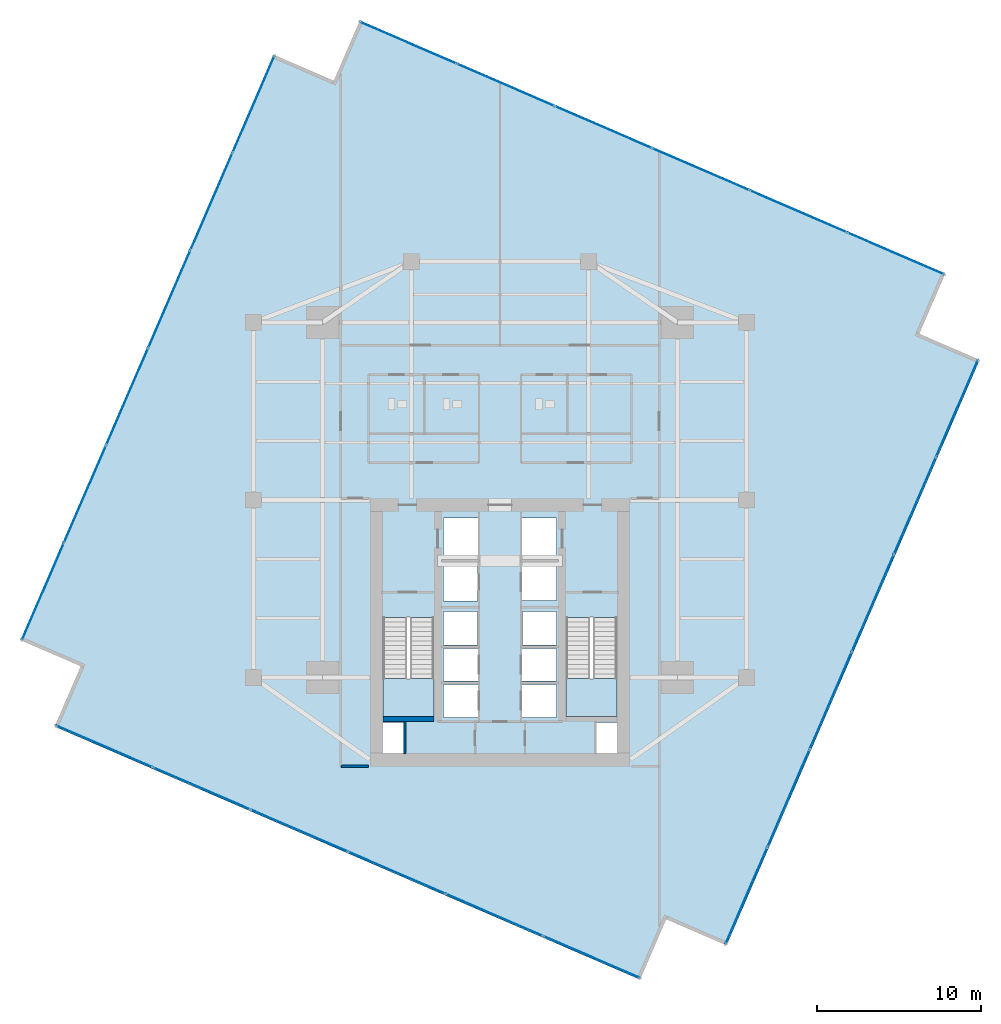
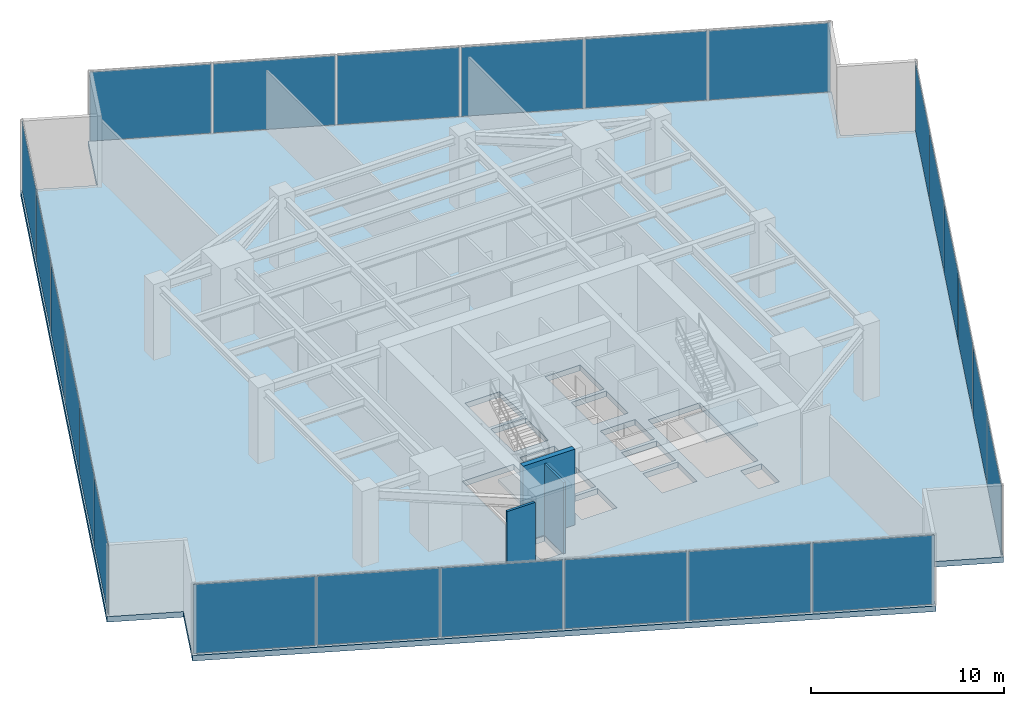
# One storey, part 20 of 24: 24 plates, 3 slabs, 3 walls, 6 elements without a shape of their own.
"""IFC4 building model written with IfcOpenShell, lengths in metres."""

from ifc_helpers import new_model, si_unit, direction, frame, frame_2d, origin, origin_2d, place, context, subcontext, project, spatial, polyline, rectangle, outline, extrude, source, transform, mapped, material, layer, layer_set, type_object, type_shapes, element, aggregate, save


model = new_model("IFC4")

# Units and contexts
model_context = context("Model", 3, precision=1e-05, world=origin(), true_north=direction((0.0, 1.0)))
body_context = subcontext(model_context, "Body", "Model", "MODEL_VIEW")
ifc_project = project(units=[si_unit("LENGTHUNIT", "METRE"), si_unit("AREAUNIT", "SQUARE_METRE"), si_unit("VOLUMEUNIT", "CUBIC_METRE"), si_unit("PLANEANGLEUNIT", "RADIAN"), si_unit("MASSUNIT", "GRAM", prefix="KILO")], contexts=[model_context])

# Site, building, storey
site_placement = place(None, origin())
site = spatial("IfcSite", under=ifc_project, at=site_placement, CompositionType="ELEMENT")
building_placement = place(site_placement, origin())
building = spatial("IfcBuilding", under=site, at=building_placement, Name="Krantzveldt Concourse Tower", CompositionType="ELEMENT")
storey_placement = place(building_placement, frame((0.0, 0.0, 141.39990234375)))
storey = spatial("IfcBuildingStorey", under=building, at=storey_placement, Name="L34", CompositionType="ELEMENT", Elevation=141.39990234375)

# Stair, slab
ifc_material_1 = material(Name="Precast concrete C40/50", Category="concrete")
stair_type = type_object("IfcStairType", Name="STR-CORE-DOGLEG", PredefinedType="HALF_TURN_STAIR", material=ifc_material_1)
stair_1_placement = place(storey_placement, origin())
stair_1 = element("IfcStair", 1, at=stair_1_placement, inside=storey, type_object=stair_type, Name="L34 Protected Escape Stair ST-1", PredefinedType="HALF_TURN_STAIR")
ifc_layer_1 = layer(ifc_material_1, 0.199951171875, Name="Precast concrete C40/50", Category="concrete")
ifc_layer_set_1 = layer_set([ifc_layer_1], Name="Precast concrete C40/50 (SL-LANDING-200)")
slab_type_1 = type_object("IfcSlabType", Name="SL-LANDING-200", PredefinedType="LANDING", material=ifc_layer_set_1)
slab_1_placement = place(storey_placement, frame((0.0, 0.0, 2.2001953125)))
slab_1 = element("IfcSlab", 2, at=slab_1_placement, type_object=slab_type_1, Name="ST-1 landing 1", PredefinedType="LANDING", context=body_context, shape_type="SweptSolid", body=[
    extrude(outline(polyline([(28.8798828125, 15.844970703125), (28.8798828125, 13.52001953125), (31.97998046875, 13.52001953125), (31.97998046875, 15.844970703125), (28.8798828125, 15.844970703125)])), origin(), (0.0, 0.0, 1.0), 0.199951171875),
])
aggregate(stair_1, [slab_1])

stair_2_placement = place(storey_placement, origin())
stair_2 = element("IfcStair", 3, at=stair_2_placement, inside=storey, type_object=stair_type, Name="L34 Protected Escape Stair ST-2", PredefinedType="HALF_TURN_STAIR")
slab_2_placement = place(storey_placement, frame((0.0, 0.0, 2.2001953125)))
slab_2 = element("IfcSlab", 4, at=slab_2_placement, type_object=slab_type_1, Name="ST-2 landing 1", PredefinedType="LANDING", context=body_context, shape_type="SweptSolid", body=[
    extrude(outline(polyline([(40.02001953125, 15.844970703125), (40.02001953125, 13.52001953125), (43.1201171875, 13.52001953125), (43.1201171875, 15.844970703125), (40.02001953125, 15.844970703125)])), origin(), (0.0, 0.0, 1.0), 0.199951171875),
])
aggregate(stair_2, [slab_2])

# Slab
ifc_material_2 = material(Name="Concrete C50/60", Category="concrete")
ifc_layer_2 = layer(ifc_material_2, 0.35009765625, Name="Concrete C50/60", Category="concrete")
ifc_layer_set_2 = layer_set([ifc_layer_2], Name="Concrete C50/60 (SL-SL-TRN350)")
slab_type_2 = type_object("IfcSlabType", Name="SL-SL-TRN350", PredefinedType="FLOOR", material=ifc_layer_set_2)
slab_3_placement = place(storey_placement, frame((0.0, 0.0, -0.349853515625)))
element("IfcSlab", 5, at=slab_3_placement, inside=storey, type_object=slab_type_2, Name="SL-L34-MAIN", PredefinedType="FLOOR", context=body_context, shape_type="SweptSolid", body=[
    extrude(outline(polyline([(25.88916015625, 52.20458984375), (22.21728515625, 53.791748046875), (6.823486328125, 18.176025390625), (10.495361328125, 16.589111328125), (8.908203125, 12.91748046875), (44.52392578125, -2.476318359375), (46.11083984375, 1.1953125), (49.78271484375, -0.3916015625), (65.176513671875, 35.223876953125), (61.504638671875, 36.810791015625), (63.091796875, 40.482666015625), (27.47607421875, 55.87646484375), (25.88916015625, 52.20458984375)]), holes=[polyline([(28.8798828125, 19.547607421875), (28.8798828125, 13.52001953125), (31.97998046875, 13.52001953125), (31.97998046875, 19.547607421875), (28.8798828125, 19.547607421875)]), polyline([(40.02001953125, 19.547607421875), (40.02001953125, 13.52001953125), (43.1201171875, 13.52001953125), (43.1201171875, 19.547607421875), (40.02001953125, 19.547607421875)]), polyline([(32.550048828125, 23.10009765625), (34.64990234375, 23.10009765625), (34.64990234375, 25.60009765625), (32.550048828125, 25.60009765625), (32.550048828125, 23.10009765625)]), polyline([(37.35009765625, 23.10009765625), (39.449951171875, 23.10009765625), (39.449951171875, 25.60009765625), (37.35009765625, 25.60009765625), (37.35009765625, 23.10009765625)]), polyline([(37.35009765625, 20.60009765625), (39.449951171875, 20.60009765625), (39.449951171875, 22.89990234375), (37.35009765625, 22.89990234375), (37.35009765625, 20.60009765625)]), polyline([(32.550048828125, 13.47998046875), (34.64990234375, 13.47998046875), (34.64990234375, 15.47998046875), (32.550048828125, 15.47998046875), (32.550048828125, 13.47998046875)]), polyline([(32.550048828125, 15.679931640625), (34.64990234375, 15.679931640625), (34.64990234375, 17.679931640625), (32.550048828125, 17.679931640625), (32.550048828125, 15.679931640625)]), polyline([(37.35009765625, 13.47998046875), (39.449951171875, 13.47998046875), (39.449951171875, 15.47998046875), (37.35009765625, 15.47998046875), (37.35009765625, 13.47998046875)]), polyline([(37.35009765625, 15.679931640625), (39.449951171875, 15.679931640625), (39.449951171875, 17.679931640625), (37.35009765625, 17.679931640625), (37.35009765625, 15.679931640625)]), polyline([(32.550048828125, 20.550048828125), (34.6201171875, 20.550048828125), (34.6201171875, 22.89990234375), (32.550048828125, 22.89990234375), (32.550048828125, 20.550048828125)]), polyline([(32.550048828125, 17.8798828125), (34.6201171875, 17.8798828125), (34.6201171875, 19.919921875), (32.550048828125, 19.919921875), (32.550048828125, 17.8798828125)]), polyline([(37.3798828125, 17.8798828125), (39.449951171875, 17.8798828125), (39.449951171875, 19.919921875), (37.3798828125, 19.919921875), (37.3798828125, 17.8798828125)]), polyline([(28.8798828125, 11.320068359375), (30.139892578125, 11.320068359375), (30.139892578125, 13.159912109375), (28.8798828125, 13.159912109375), (28.8798828125, 11.320068359375)]), polyline([(41.860107421875, 11.320068359375), (43.1201171875, 11.320068359375), (43.1201171875, 13.159912109375), (41.860107421875, 13.159912109375), (41.860107421875, 11.320068359375)])]), origin(), (0.0, 0.0, 1.0), 0.349853515625),
])

# Curtain wall, plates
ifc_material_3 = material(Name="Anodised aluminium 6063-T6", Category="aluminium")
curtain_wall_type = type_object("IfcCurtainWallType", Name="CW5", PredefinedType="USERDEFINED", material=ifc_material_3)
curtain_wall_1_placement = place(storey_placement, origin())
curtain_wall_1 = element("IfcCurtainWall", 6, at=curtain_wall_1_placement, inside=storey, type_object=curtain_wall_type, Name="CW-L34-F01", ObjectType="UNITISED CURTAIN WALL", PredefinedType="USERDEFINED")
ifc_material_4 = material(Name="Bronze-tinted laminated low-E IGU glass", Category="glass")
ifc_layer_3 = layer(ifc_material_4, 0.031982421875, Name="Bronze-tinted laminated low-E IGU glass", Category="glass")
ifc_layer_set_3 = layer_set([ifc_layer_3], Name="Bronze-tinted laminated low-E IGU glass (CW-GLZ-32)")
plate_type = type_object("IfcPlateType", Name="CW-GLZ-32", PredefinedType="CURTAIN_PANEL", material=ifc_layer_set_3)
shared_shape_1 = source(origin(), body_context, "Body", "SweptSolid", [
    extrude(rectangle(XDim=6.361572265625, YDim=0.031982421875, at=origin_2d()), origin(), (0.0, 0.0, 1.0), 4.3798828125),
])
plate_1_placement = place(storey_placement, frame((21.01025390625, 50.77197265625, 0.070068359375), z_axis=(0.0, 0.0, 1.0), x_axis=(-0.396747417177, -0.917927822306, 0.0)))
plate_1 = element("IfcPlate", 7, at=plate_1_placement, type_object=plate_type, Name="CW-SKY panel 1.1", PredefinedType="CURTAIN_PANEL", context=body_context, shape_type="MappedRepresentation", body=[
    mapped(shared_shape_1, transform((0.0, 0.0, 0.0), x_axis=(1.0, 0.0, 0.0), y_axis=(0.0, 1.0, 0.0), z_axis=(0.0, 0.0, 1.0), scale=1.0)),
])
plate_2_placement = place(storey_placement, frame((8.196044921875, 21.12451171875, 0.070068359375), z_axis=(0.0, 0.0, 1.0), x_axis=(-0.396747417177, -0.917927822306, 0.0)))
plate_2 = element("IfcPlate", 8, at=plate_2_placement, type_object=plate_type, Name="CW-SKY panel 6.1", PredefinedType="CURTAIN_PANEL", context=body_context, shape_type="MappedRepresentation", body=[
    mapped(shared_shape_1, transform((0.0, 0.0, 0.0), x_axis=(1.0, 0.0, 0.0), y_axis=(0.0, 1.0, 0.0), z_axis=(0.0, 0.0, 1.0), scale=1.0)),
])

curtain_wall_2_placement = place(storey_placement, origin())
curtain_wall_2 = element("IfcCurtainWall", 9, at=curtain_wall_2_placement, inside=storey, type_object=curtain_wall_type, Name="CW-L34-F04", ObjectType="UNITISED CURTAIN WALL", PredefinedType="USERDEFINED")
plate_3_placement = place(storey_placement, frame((11.927978515625, 11.710205078125, 0.070068359375), z_axis=(0.0, 0.0, 1.0), x_axis=(0.917927822306, -0.396747417177, 0.0)))
plate_3 = element("IfcPlate", 10, at=plate_3_placement, type_object=plate_type, Name="CW-SKY panel 1.1", PredefinedType="CURTAIN_PANEL", context=body_context, shape_type="MappedRepresentation", body=[
    mapped(shared_shape_1, transform((0.0, 0.0, 0.0), x_axis=(1.0, 0.0, 0.0), y_axis=(0.0, 1.0, 0.0), z_axis=(0.0, 0.0, 1.0), scale=1.0)),
])
plate_4_placement = place(storey_placement, frame((41.57568359375, -1.10400390625, 0.070068359375), z_axis=(0.0, 0.0, 1.0), x_axis=(0.917927822306, -0.396747417177, 0.0)))
plate_4 = element("IfcPlate", 11, at=plate_4_placement, type_object=plate_type, Name="CW-SKY panel 6.1", PredefinedType="CURTAIN_PANEL", context=body_context, shape_type="MappedRepresentation", body=[
    mapped(shared_shape_1, transform((0.0, 0.0, 0.0), x_axis=(1.0, 0.0, 0.0), y_axis=(0.0, 1.0, 0.0), z_axis=(0.0, 0.0, 1.0), scale=1.0)),
])

curtain_wall_3_placement = place(storey_placement, origin())
curtain_wall_3 = element("IfcCurtainWall", 12, at=curtain_wall_3_placement, inside=storey, type_object=curtain_wall_type, Name="CW-L34-F07", ObjectType="UNITISED CURTAIN WALL", PredefinedType="USERDEFINED")
plate_5_placement = place(storey_placement, frame((50.98974609375, 2.6279296875, 0.070068359375), z_axis=(0.0, 0.0, 1.0), x_axis=(0.396747417177, 0.917927822306, 0.0)))
plate_5 = element("IfcPlate", 13, at=plate_5_placement, type_object=plate_type, Name="CW-SKY panel 1.1", PredefinedType="CURTAIN_PANEL", context=body_context, shape_type="MappedRepresentation", body=[
    mapped(shared_shape_1, transform((0.0, 0.0, 0.0), x_axis=(1.0, 0.0, 0.0), y_axis=(0.0, 1.0, 0.0), z_axis=(0.0, 0.0, 1.0), scale=1.0)),
])
plate_6_placement = place(storey_placement, frame((63.803955078125, 32.275634765625, 0.070068359375), z_axis=(0.0, 0.0, 1.0), x_axis=(0.396747417177, 0.917927822306, 0.0)))
plate_6 = element("IfcPlate", 14, at=plate_6_placement, type_object=plate_type, Name="CW-SKY panel 6.1", PredefinedType="CURTAIN_PANEL", context=body_context, shape_type="MappedRepresentation", body=[
    mapped(shared_shape_1, transform((0.0, 0.0, 0.0), x_axis=(1.0, 0.0, 0.0), y_axis=(0.0, 1.0, 0.0), z_axis=(0.0, 0.0, 1.0), scale=1.0)),
])

curtain_wall_4_placement = place(storey_placement, origin())
curtain_wall_4 = element("IfcCurtainWall", 15, at=curtain_wall_4_placement, inside=storey, type_object=curtain_wall_type, Name="CW-L34-F10", ObjectType="UNITISED CURTAIN WALL", PredefinedType="USERDEFINED")
plate_7_placement = place(storey_placement, frame((60.072021484375, 41.689697265625, 0.070068359375), z_axis=(0.0, 0.0, 1.0), x_axis=(-0.917927822306, 0.396747417177, 0.0)))
plate_7 = element("IfcPlate", 16, at=plate_7_placement, type_object=plate_type, Name="CW-SKY panel 1.1", PredefinedType="CURTAIN_PANEL", context=body_context, shape_type="MappedRepresentation", body=[
    mapped(shared_shape_1, transform((0.0, 0.0, 0.0), x_axis=(1.0, 0.0, 0.0), y_axis=(0.0, 1.0, 0.0), z_axis=(0.0, 0.0, 1.0), scale=1.0)),
])
plate_8_placement = place(storey_placement, frame((30.42431640625, 54.504150390625, 0.070068359375), z_axis=(0.0, 0.0, 1.0), x_axis=(-0.917927822306, 0.396747417177, 0.0)))
plate_8 = element("IfcPlate", 17, at=plate_8_placement, type_object=plate_type, Name="CW-SKY panel 6.1", PredefinedType="CURTAIN_PANEL", context=body_context, shape_type="MappedRepresentation", body=[
    mapped(shared_shape_1, transform((0.0, 0.0, 0.0), x_axis=(1.0, 0.0, 0.0), y_axis=(0.0, 1.0, 0.0), z_axis=(0.0, 0.0, 1.0), scale=1.0)),
])

# Plate
shared_shape_2 = source(origin(), body_context, "Body", "SweptSolid", [
    extrude(rectangle(XDim=6.396728515625, YDim=0.031982421875, at=origin_2d()), origin(), (0.0, 0.0, 1.0), 4.3798828125),
])
type_shapes(plate_type, [shared_shape_1, shared_shape_2])
plate_9_placement = place(storey_placement, frame((18.45166015625, 44.85205078125, 0.070068359375), z_axis=(0.0, 0.0, 1.0), x_axis=(-0.396747417177, -0.917927822306, 0.0)))
plate_9 = element("IfcPlate", 18, at=plate_9_placement, type_object=plate_type, Name="CW-SKY panel 2.1", PredefinedType="CURTAIN_PANEL", context=body_context, shape_type="MappedRepresentation", body=[
    mapped(shared_shape_2, transform((0.0, 0.0, 0.0), x_axis=(1.0, 0.0, 0.0), y_axis=(0.0, 1.0, 0.0), z_axis=(0.0, 0.0, 1.0), scale=1.0)),
])

plate_10_placement = place(storey_placement, frame((15.885986328125, 38.916259765625, 0.070068359375), z_axis=(0.0, 0.0, 1.0), x_axis=(-0.396747417177, -0.917927822306, 0.0)))
plate_10 = element("IfcPlate", 19, at=plate_10_placement, type_object=plate_type, Name="CW-SKY panel 3.1", PredefinedType="CURTAIN_PANEL", context=body_context, shape_type="MappedRepresentation", body=[
    mapped(shared_shape_2, transform((0.0, 0.0, 0.0), x_axis=(1.0, 0.0, 0.0), y_axis=(0.0, 1.0, 0.0), z_axis=(0.0, 0.0, 1.0), scale=1.0)),
])

plate_11_placement = place(storey_placement, frame((13.3203125, 32.980224609375, 0.070068359375), z_axis=(0.0, 0.0, 1.0), x_axis=(-0.396747417177, -0.917927822306, 0.0)))
plate_11 = element("IfcPlate", 20, at=plate_11_placement, type_object=plate_type, Name="CW-SKY panel 4.1", PredefinedType="CURTAIN_PANEL", context=body_context, shape_type="MappedRepresentation", body=[
    mapped(shared_shape_2, transform((0.0, 0.0, 0.0), x_axis=(1.0, 0.0, 0.0), y_axis=(0.0, 1.0, 0.0), z_axis=(0.0, 0.0, 1.0), scale=1.0)),
])

plate_12_placement = place(storey_placement, frame((10.754638671875, 27.044189453125, 0.070068359375), z_axis=(0.0, 0.0, 1.0), x_axis=(-0.396747417177, -0.917927822306, 0.0)))
plate_12 = element("IfcPlate", 21, at=plate_12_placement, type_object=plate_type, Name="CW-SKY panel 5.1", PredefinedType="CURTAIN_PANEL", context=body_context, shape_type="MappedRepresentation", body=[
    mapped(shared_shape_2, transform((0.0, 0.0, 0.0), x_axis=(1.0, 0.0, 0.0), y_axis=(0.0, 1.0, 0.0), z_axis=(0.0, 0.0, 1.0), scale=1.0)),
])

aggregate(curtain_wall_1, [plate_1, plate_9, plate_10, plate_11, plate_12, plate_2])

plate_13_placement = place(storey_placement, frame((17.847900390625, 9.151611328125, 0.070068359375), z_axis=(0.0, 0.0, 1.0), x_axis=(0.917927822306, -0.396747417177, 0.0)))
plate_13 = element("IfcPlate", 22, at=plate_13_placement, type_object=plate_type, Name="CW-SKY panel 2.1", PredefinedType="CURTAIN_PANEL", context=body_context, shape_type="MappedRepresentation", body=[
    mapped(shared_shape_2, transform((0.0, 0.0, 0.0), x_axis=(1.0, 0.0, 0.0), y_axis=(0.0, 1.0, 0.0), z_axis=(0.0, 0.0, 1.0), scale=1.0)),
])

plate_14_placement = place(storey_placement, frame((23.783935546875, 6.5859375, 0.070068359375), z_axis=(0.0, 0.0, 1.0), x_axis=(0.917927822306, -0.396747417177, 0.0)))
plate_14 = element("IfcPlate", 23, at=plate_14_placement, type_object=plate_type, Name="CW-SKY panel 3.1", PredefinedType="CURTAIN_PANEL", context=body_context, shape_type="MappedRepresentation", body=[
    mapped(shared_shape_2, transform((0.0, 0.0, 0.0), x_axis=(1.0, 0.0, 0.0), y_axis=(0.0, 1.0, 0.0), z_axis=(0.0, 0.0, 1.0), scale=1.0)),
])

plate_15_placement = place(storey_placement, frame((29.7197265625, 4.020263671875, 0.070068359375), z_axis=(0.0, 0.0, 1.0), x_axis=(0.917927822306, -0.396747417177, 0.0)))
plate_15 = element("IfcPlate", 24, at=plate_15_placement, type_object=plate_type, Name="CW-SKY panel 4.1", PredefinedType="CURTAIN_PANEL", context=body_context, shape_type="MappedRepresentation", body=[
    mapped(shared_shape_2, transform((0.0, 0.0, 0.0), x_axis=(1.0, 0.0, 0.0), y_axis=(0.0, 1.0, 0.0), z_axis=(0.0, 0.0, 1.0), scale=1.0)),
])

plate_16_placement = place(storey_placement, frame((35.65576171875, 1.45458984375, 0.070068359375), z_axis=(0.0, 0.0, 1.0), x_axis=(0.917927822306, -0.396747417177, 0.0)))
plate_16 = element("IfcPlate", 25, at=plate_16_placement, type_object=plate_type, Name="CW-SKY panel 5.1", PredefinedType="CURTAIN_PANEL", context=body_context, shape_type="MappedRepresentation", body=[
    mapped(shared_shape_2, transform((0.0, 0.0, 0.0), x_axis=(1.0, 0.0, 0.0), y_axis=(0.0, 1.0, 0.0), z_axis=(0.0, 0.0, 1.0), scale=1.0)),
])

aggregate(curtain_wall_2, [plate_3, plate_13, plate_14, plate_15, plate_16, plate_4])

plate_17_placement = place(storey_placement, frame((53.54833984375, 8.5478515625, 0.070068359375), z_axis=(0.0, 0.0, 1.0), x_axis=(0.396747417177, 0.917927822306, 0.0)))
plate_17 = element("IfcPlate", 26, at=plate_17_placement, type_object=plate_type, Name="CW-SKY panel 2.1", PredefinedType="CURTAIN_PANEL", context=body_context, shape_type="MappedRepresentation", body=[
    mapped(shared_shape_2, transform((0.0, 0.0, 0.0), x_axis=(1.0, 0.0, 0.0), y_axis=(0.0, 1.0, 0.0), z_axis=(0.0, 0.0, 1.0), scale=1.0)),
])

plate_18_placement = place(storey_placement, frame((56.114013671875, 14.48388671875, 0.070068359375), z_axis=(0.0, 0.0, 1.0), x_axis=(0.396747417177, 0.917927822306, 0.0)))
plate_18 = element("IfcPlate", 27, at=plate_18_placement, type_object=plate_type, Name="CW-SKY panel 3.1", PredefinedType="CURTAIN_PANEL", context=body_context, shape_type="MappedRepresentation", body=[
    mapped(shared_shape_2, transform((0.0, 0.0, 0.0), x_axis=(1.0, 0.0, 0.0), y_axis=(0.0, 1.0, 0.0), z_axis=(0.0, 0.0, 1.0), scale=1.0)),
])

plate_19_placement = place(storey_placement, frame((58.6796875, 20.419677734375, 0.070068359375), z_axis=(0.0, 0.0, 1.0), x_axis=(0.396747417177, 0.917927822306, 0.0)))
plate_19 = element("IfcPlate", 28, at=plate_19_placement, type_object=plate_type, Name="CW-SKY panel 4.1", PredefinedType="CURTAIN_PANEL", context=body_context, shape_type="MappedRepresentation", body=[
    mapped(shared_shape_2, transform((0.0, 0.0, 0.0), x_axis=(1.0, 0.0, 0.0), y_axis=(0.0, 1.0, 0.0), z_axis=(0.0, 0.0, 1.0), scale=1.0)),
])

plate_20_placement = place(storey_placement, frame((61.245361328125, 26.355712890625, 0.070068359375), z_axis=(0.0, 0.0, 1.0), x_axis=(0.396747417177, 0.917927822306, 0.0)))
plate_20 = element("IfcPlate", 29, at=plate_20_placement, type_object=plate_type, Name="CW-SKY panel 5.1", PredefinedType="CURTAIN_PANEL", context=body_context, shape_type="MappedRepresentation", body=[
    mapped(shared_shape_2, transform((0.0, 0.0, 0.0), x_axis=(1.0, 0.0, 0.0), y_axis=(0.0, 1.0, 0.0), z_axis=(0.0, 0.0, 1.0), scale=1.0)),
])

aggregate(curtain_wall_3, [plate_5, plate_17, plate_18, plate_19, plate_20, plate_6])

plate_21_placement = place(storey_placement, frame((54.152099609375, 44.24853515625, 0.070068359375), z_axis=(0.0, 0.0, 1.0), x_axis=(-0.917927822306, 0.396747417177, 0.0)))
plate_21 = element("IfcPlate", 30, at=plate_21_placement, type_object=plate_type, Name="CW-SKY panel 2.1", PredefinedType="CURTAIN_PANEL", context=body_context, shape_type="MappedRepresentation", body=[
    mapped(shared_shape_2, transform((0.0, 0.0, 0.0), x_axis=(1.0, 0.0, 0.0), y_axis=(0.0, 1.0, 0.0), z_axis=(0.0, 0.0, 1.0), scale=1.0)),
])

plate_22_placement = place(storey_placement, frame((48.216064453125, 46.81396484375, 0.070068359375), z_axis=(0.0, 0.0, 1.0), x_axis=(-0.917927822306, 0.396747417177, 0.0)))
plate_22 = element("IfcPlate", 31, at=plate_22_placement, type_object=plate_type, Name="CW-SKY panel 3.1", PredefinedType="CURTAIN_PANEL", context=body_context, shape_type="MappedRepresentation", body=[
    mapped(shared_shape_2, transform((0.0, 0.0, 0.0), x_axis=(1.0, 0.0, 0.0), y_axis=(0.0, 1.0, 0.0), z_axis=(0.0, 0.0, 1.0), scale=1.0)),
])

plate_23_placement = place(storey_placement, frame((42.2802734375, 49.379638671875, 0.070068359375), z_axis=(0.0, 0.0, 1.0), x_axis=(-0.917927822306, 0.396747417177, 0.0)))
plate_23 = element("IfcPlate", 32, at=plate_23_placement, type_object=plate_type, Name="CW-SKY panel 4.1", PredefinedType="CURTAIN_PANEL", context=body_context, shape_type="MappedRepresentation", body=[
    mapped(shared_shape_2, transform((0.0, 0.0, 0.0), x_axis=(1.0, 0.0, 0.0), y_axis=(0.0, 1.0, 0.0), z_axis=(0.0, 0.0, 1.0), scale=1.0)),
])

plate_24_placement = place(storey_placement, frame((36.34423828125, 51.9453125, 0.070068359375), z_axis=(0.0, 0.0, 1.0), x_axis=(-0.917927822306, 0.396747417177, 0.0)))
plate_24 = element("IfcPlate", 33, at=plate_24_placement, type_object=plate_type, Name="CW-SKY panel 5.1", PredefinedType="CURTAIN_PANEL", context=body_context, shape_type="MappedRepresentation", body=[
    mapped(shared_shape_2, transform((0.0, 0.0, 0.0), x_axis=(1.0, 0.0, 0.0), y_axis=(0.0, 1.0, 0.0), z_axis=(0.0, 0.0, 1.0), scale=1.0)),
])

aggregate(curtain_wall_4, [plate_7, plate_21, plate_22, plate_23, plate_24, plate_8])

# Walls
ifc_material_5 = material(Name="Fire-rated gypsum plasterboard on steel stud", Category="steel")
ifc_layer_4 = layer(ifc_material_5, 0.139892578125, Name="Fire-rated gypsum plasterboard on steel stud", Category="steel")
ifc_layer_set_4 = layer_set([ifc_layer_4], Name="Fire-rated gypsum plasterboard on steel stud (WL-PART-140)")
wall_type_1 = type_object("IfcWallType", Name="WL-PART-140", PredefinedType="PARTITIONING", material=ifc_layer_set_4)
wall_1_placement = place(storey_placement, frame((26.320068359375, 10.5, 0.0), z_axis=(0.0, 0.0, 1.0), x_axis=(1.0, 0.0, 0.0)))
element("IfcWall", 34, at=wall_1_placement, inside=storey, type_object=wall_type_1, Name="WP-L34-SWT", PredefinedType="PARTITIONING", context=body_context, shape_type="SweptSolid", body=[
    extrude(rectangle(XDim=1.679931640625, YDim=0.139892578125, at=frame_2d((0.83984375, 0.0))), origin(), (0.0, 0.0, 1.0), 4.52001953125),
])
ifc_layer_5 = layer(ifc_material_5, 0.139892578125, Name="Fire-rated gypsum plasterboard on steel stud", Category="steel")
ifc_layer_set_5 = layer_set([ifc_layer_5], Name="Fire-rated gypsum plasterboard on steel stud (WL-PART-FR140)")
wall_type_2 = type_object("IfcWallType", Name="WL-PART-FR140", PredefinedType="PARTITIONING", material=ifc_layer_set_5)
wall_2_placement = place(storey_placement, frame((30.219970703125, 11.25, 0.0), z_axis=(0.0, 0.0, 1.0), x_axis=(0.0, 1.0, 0.0)))
element("IfcWall", 35, at=wall_2_placement, inside=storey, type_object=wall_type_2, Name="WP-L34-RSW", PredefinedType="PARTITIONING", context=body_context, shape_type="SweptSolid", body=[
    extrude(rectangle(XDim=1.969970703125, YDim=0.1201171875, at=frame_2d((0.98486328125, 0.0))), origin(), (0.0, 0.0, 1.0), 4.52001953125),
])
ifc_layer_6 = layer(ifc_material_2, 0.300048828125, Name="Concrete C50/60", Category="concrete")
ifc_layer_set_6 = layer_set([ifc_layer_6], Name="Concrete C50/60 (WL-SHEAR-300)")
wall_type_3 = type_object("IfcWallType", Name="WL-SHEAR-300", PredefinedType="SHEAR", material=ifc_layer_set_6)
wall_3_placement = place(storey_placement, frame((28.8798828125, 13.3701171875, 0.0), z_axis=(0.0, 0.0, 1.0), x_axis=(1.0, 0.0, 0.0)))
element("IfcWall", 36, at=wall_3_placement, inside=storey, type_object=wall_type_3, Name="CW-L34-ST1S", PredefinedType="SHEAR", context=body_context, shape_type="SweptSolid", body=[
    extrude(rectangle(XDim=3.10009765625, YDim=0.300048828125, at=frame_2d((1.550048828125, 0.0))), origin(), (0.0, 0.0, 1.0), 4.800048828125),
])

save(model, "model.ifc")
